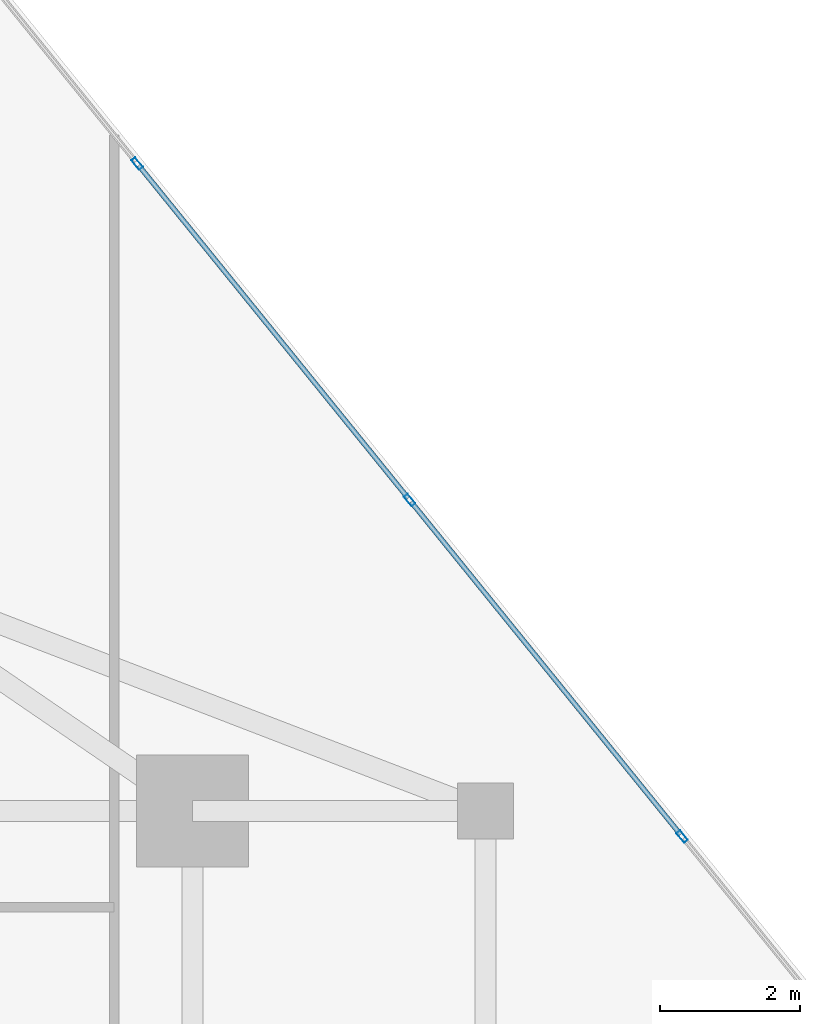
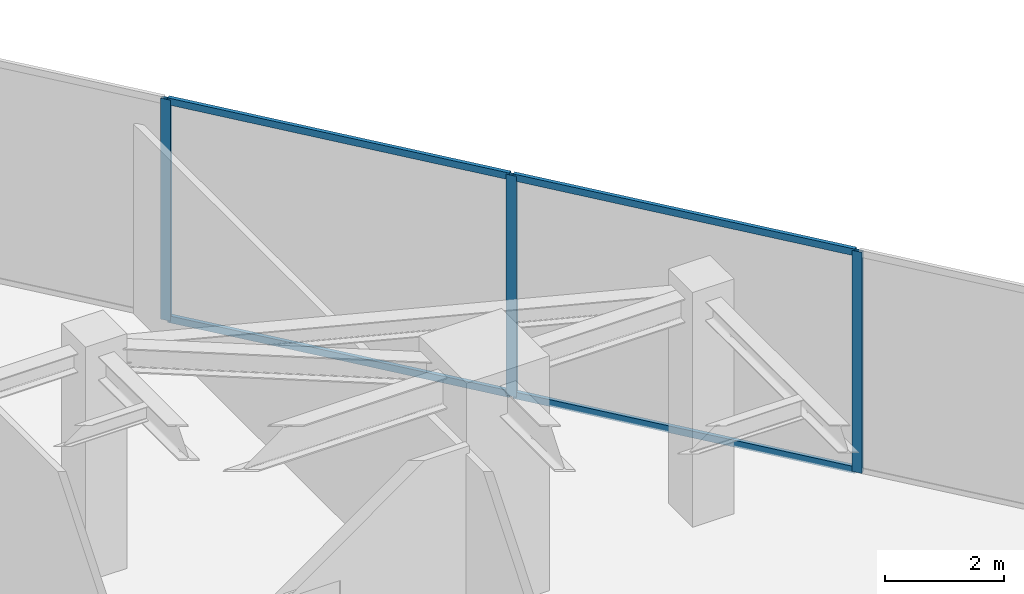
# One storey, part 16 of 22: 7 members, 1 element without a shape of its own.
"""IFC4 building model written with IfcOpenShell, lengths in metres."""

from ifc_helpers import new_model, si_unit, direction, frame, origin, origin_2d, place, context, subcontext, project, spatial, hollow_rectangle, extrude, source, transform, mapped, material, material_profile, profile_set, type_object, type_shapes, element, aggregate, save


model = new_model("IFC4")

# Units and contexts
model_context = context("Model", 3, precision=1e-05, world=origin(), true_north=direction((0.0, 1.0)))
body_context = subcontext(model_context, "Body", "Model", "MODEL_VIEW")
ifc_project = project(units=[si_unit("LENGTHUNIT", "METRE"), si_unit("AREAUNIT", "SQUARE_METRE"), si_unit("VOLUMEUNIT", "CUBIC_METRE"), si_unit("PLANEANGLEUNIT", "RADIAN"), si_unit("MASSUNIT", "GRAM", prefix="KILO")], contexts=[model_context])

# Site, building, storey
site_placement = place(None, origin())
site = spatial("IfcSite", under=ifc_project, at=site_placement, CompositionType="ELEMENT")
building_placement = place(site_placement, origin())
building = spatial("IfcBuilding", under=site, at=building_placement, Name="Krantzveldt Concourse Tower", CompositionType="ELEMENT")
storey_placement = place(building_placement, frame((0.0, 0.0, 262.60009765625)))
storey = spatial("IfcBuildingStorey", under=building, at=storey_placement, Name="L64", CompositionType="ELEMENT", Elevation=262.60009765625)

# Curtain wall, members
ifc_material = material(Name="Anodised aluminium 6063-T6", Category="aluminium")
curtain_wall_type = type_object("IfcCurtainWallType", Name="CW5", PredefinedType="USERDEFINED", material=ifc_material)
curtain_wall_placement = place(storey_placement, origin())
curtain_wall = element("IfcCurtainWall", 1, at=curtain_wall_placement, inside=storey, type_object=curtain_wall_type, Name="CW-L64-F10", ObjectType="UNITISED CURTAIN WALL", PredefinedType="USERDEFINED")
ifc_material_profile_1 = material_profile(ifc_material, hollow_rectangle(XDim=0.070068359375, YDim=0.179931640625, WallThickness=0.0048828125, at=origin_2d()), Name="Anodised aluminium 6063-T6", Category="aluminium")
ifc_profile_set_1 = profile_set([ifc_material_profile_1], Name="Anodised aluminium 6063-T6 - ALU-MULL 180x70x5")
member_type_1 = type_object("IfcMemberType", Name="CW-MUL-180", PredefinedType="MULLION", material=ifc_profile_set_1)
shared_shape_1 = source(origin(), body_context, "Body", "SweptSolid", [
    extrude(hollow_rectangle(XDim=0.070068359375, YDim=0.179931640625, WallThickness=0.0048828125, at=origin_2d()), origin(), (0.0, 0.0, 1.0), 4.52001953125),
])
type_shapes(member_type_1, [shared_shape_1])
member_1_placement = place(storey_placement, frame((53.8125, 37.13525390625, 0.0), z_axis=(0.0, 0.0, 1.0), x_axis=(-0.777145933558, -0.629320425502, 0.0)))
member_1 = element("IfcMember", 2, at=member_1_placement, type_object=member_type_1, Name="CW-SKY mullion 3", PredefinedType="MULLION", context=body_context, shape_type="MappedRepresentation", body=[
    mapped(shared_shape_1, transform((0.0, 0.0, 0.0), x_axis=(1.0, 0.0, 0.0), y_axis=(0.0, 1.0, 0.0), z_axis=(0.0, 0.0, 1.0), scale=1.0)),
])
member_2_placement = place(storey_placement, frame((49.91064453125, 41.95361328125, 0.0), z_axis=(0.0, 0.0, 1.0), x_axis=(-0.777145933558, -0.629320425502, 0.0)))
member_2 = element("IfcMember", 3, at=member_2_placement, type_object=member_type_1, Name="CW-SKY mullion 4", PredefinedType="MULLION", context=body_context, shape_type="MappedRepresentation", body=[
    mapped(shared_shape_1, transform((0.0, 0.0, 0.0), x_axis=(1.0, 0.0, 0.0), y_axis=(0.0, 1.0, 0.0), z_axis=(0.0, 0.0, 1.0), scale=1.0)),
])
member_3_placement = place(storey_placement, frame((46.0087890625, 46.77197265625, 0.0), z_axis=(0.0, 0.0, 1.0), x_axis=(-0.777145933558, -0.629320425502, 0.0)))
member_3 = element("IfcMember", 4, at=member_3_placement, type_object=member_type_1, Name="CW-SKY mullion 5", PredefinedType="MULLION", context=body_context, shape_type="MappedRepresentation", body=[
    mapped(shared_shape_1, transform((0.0, 0.0, 0.0), x_axis=(1.0, 0.0, 0.0), y_axis=(0.0, 1.0, 0.0), z_axis=(0.0, 0.0, 1.0), scale=1.0)),
])
ifc_material_profile_2 = material_profile(ifc_material, hollow_rectangle(XDim=0.070068359375, YDim=0.139892578125, WallThickness=0.0048828125, at=origin_2d()), Name="Anodised aluminium 6063-T6", Category="aluminium")
ifc_profile_set_2 = profile_set([ifc_material_profile_2], Name="Anodised aluminium 6063-T6 - ALU-TRAN 140x70x5")
member_type_2 = type_object("IfcMemberType", Name="CW-TRN-150", PredefinedType="USERDEFINED", material=ifc_profile_set_2)
shared_shape_2 = source(origin(), body_context, "Body", "SweptSolid", [
    extrude(hollow_rectangle(XDim=0.070068359375, YDim=0.139892578125, WallThickness=0.0048828125, at=origin_2d()), origin(), (0.0, 0.0, 1.0), 6.1298828125),
])
type_shapes(member_type_2, [shared_shape_2])
member_4_placement = place(storey_placement, frame((53.79052734375, 37.16259765625, 0.034912109375), z_axis=(-0.629356325914, 0.777116860602, 0.0), x_axis=(-0.777116860602, -0.629356325914, 0.0)))
member_4 = element("IfcMember", 5, at=member_4_placement, type_object=member_type_2, Name="CW-SKY transom 3.1", ObjectType="TRANSOM", PredefinedType="USERDEFINED", context=body_context, shape_type="MappedRepresentation", body=[
    mapped(shared_shape_2, transform((0.0, 0.0, 0.0), x_axis=(1.0, 0.0, 0.0), y_axis=(0.0, 1.0, 0.0), z_axis=(0.0, 0.0, 1.0), scale=1.0)),
])
member_5_placement = place(storey_placement, frame((53.79052734375, 37.16259765625, 4.48486328125), z_axis=(-0.629356325914, 0.777116860602, 0.0), x_axis=(-0.777116860602, -0.629356325914, 0.0)))
member_5 = element("IfcMember", 6, at=member_5_placement, type_object=member_type_2, Name="CW-SKY transom 3.2", ObjectType="TRANSOM", PredefinedType="USERDEFINED", context=body_context, shape_type="MappedRepresentation", body=[
    mapped(shared_shape_2, transform((0.0, 0.0, 0.0), x_axis=(1.0, 0.0, 0.0), y_axis=(0.0, 1.0, 0.0), z_axis=(0.0, 0.0, 1.0), scale=1.0)),
])
member_6_placement = place(storey_placement, frame((49.888671875, 41.980712890625, 0.034912109375), z_axis=(-0.629312793813, 0.777152113517, 0.0), x_axis=(-0.777152113517, -0.629312793813, 0.0)))
member_6 = element("IfcMember", 7, at=member_6_placement, type_object=member_type_2, Name="CW-SKY transom 4.1", ObjectType="TRANSOM", PredefinedType="USERDEFINED", context=body_context, shape_type="MappedRepresentation", body=[
    mapped(shared_shape_2, transform((0.0, 0.0, 0.0), x_axis=(1.0, 0.0, 0.0), y_axis=(0.0, 1.0, 0.0), z_axis=(0.0, 0.0, 1.0), scale=1.0)),
])
member_7_placement = place(storey_placement, frame((49.888671875, 41.980712890625, 4.48486328125), z_axis=(-0.629312793813, 0.777152113517, 0.0), x_axis=(-0.777152113517, -0.629312793813, 0.0)))
member_7 = element("IfcMember", 8, at=member_7_placement, type_object=member_type_2, Name="CW-SKY transom 4.2", ObjectType="TRANSOM", PredefinedType="USERDEFINED", context=body_context, shape_type="MappedRepresentation", body=[
    mapped(shared_shape_2, transform((0.0, 0.0, 0.0), x_axis=(1.0, 0.0, 0.0), y_axis=(0.0, 1.0, 0.0), z_axis=(0.0, 0.0, 1.0), scale=1.0)),
])
aggregate(curtain_wall, [member_1, member_2, member_3, member_4, member_5, member_6, member_7])

save(model, "model.ifc")
